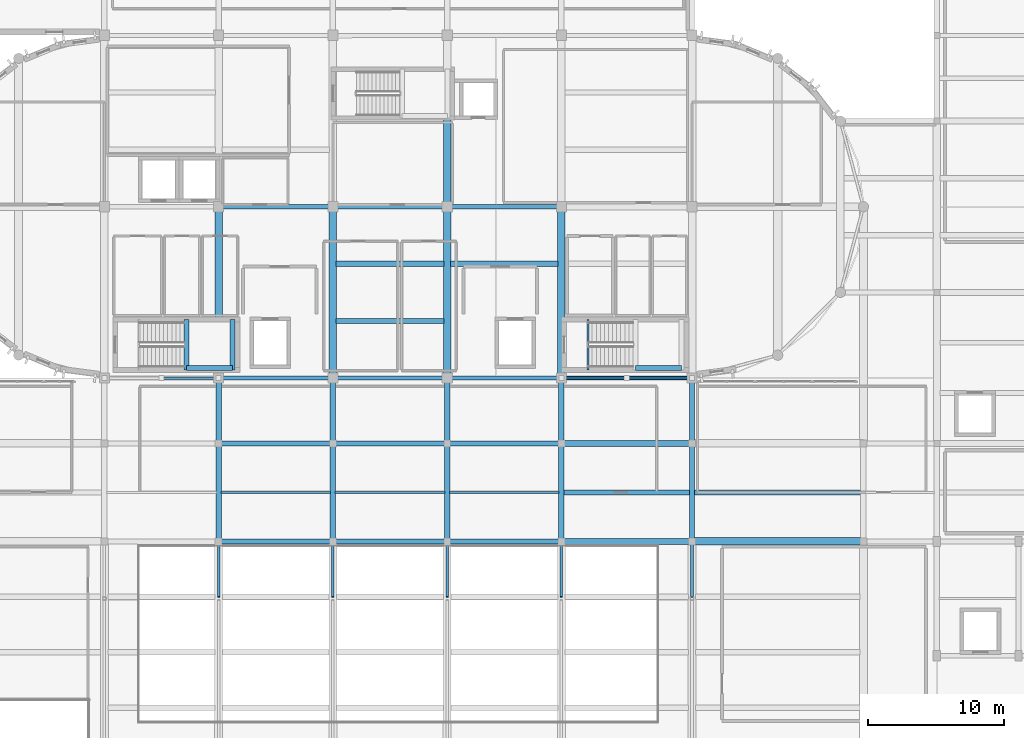
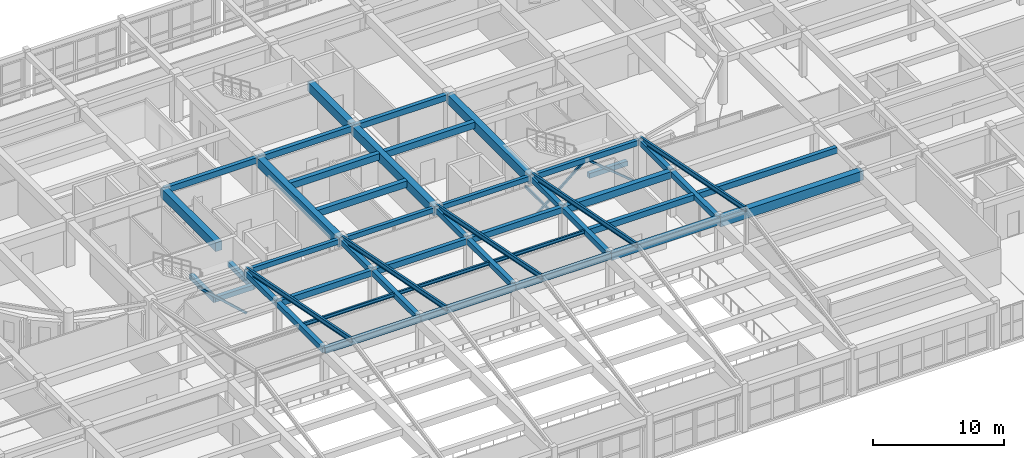
# One storey, part 42 of 91: 48 beams, 4 members.
"""IFC4 building model written with IfcOpenShell, lengths in metres."""

from ifc_helpers import new_model, si_unit, direction, frame, origin, origin_2d, place, context, subcontext, project, spatial, rectangle, hollow_rectangle, i_section, extrude, material, material_profile, profile_set, type_object, element, save


model = new_model("IFC4")

# Units and contexts
model_context = context("Model", 3, precision=1e-05, world=origin(), true_north=direction((0.0, 1.0)))
body_context = subcontext(model_context, "Body", "Model", "MODEL_VIEW")
ifc_project = project(units=[si_unit("LENGTHUNIT", "METRE"), si_unit("AREAUNIT", "SQUARE_METRE"), si_unit("VOLUMEUNIT", "CUBIC_METRE"), si_unit("PLANEANGLEUNIT", "RADIAN"), si_unit("MASSUNIT", "GRAM", prefix="KILO")], contexts=[model_context])

# Site, building, storey
site_placement = place(None, origin())
site = spatial("IfcSite", under=ifc_project, at=site_placement, CompositionType="ELEMENT")
building_placement = place(site_placement, origin())
building = spatial("IfcBuilding", under=site, at=building_placement, Name="Tarnavel Promenade Courthouse", CompositionType="ELEMENT")
storey_placement = place(building_placement, frame((0.0, 0.0, 9.89990234375)))
storey = spatial("IfcBuildingStorey", under=building, at=storey_placement, Name="L03", CompositionType="ELEMENT", Elevation=9.89990234375)

# Beams
ifc_material_1 = material(Name="Concrete C40/50", Category="concrete")
ifc_material_profile_1 = material_profile(ifc_material_1, rectangle(XDim=0.35009765625, YDim=0.550048828125, at=origin_2d()), Name="PT 350x550")
ifc_profile_set_1 = profile_set([ifc_material_profile_1], Name="Concrete C40/50")
beam_type_1 = type_object("IfcBeamType", Name="Concrete C40/50 BM-PT-350x550 (PT 350x550)", PredefinedType="JOIST", material=ifc_profile_set_1)
beam_1_placement = place(storey_placement, frame((92.570068359375, 70.800048828125, 3.97021484375), z_axis=(1.0, 0.0, 0.0), x_axis=(0.0, 1.0, 0.0)))
element("IfcBeam", 1, at=beam_1_placement, inside=storey, type_object=beam_type_1, Name="L03 Secondary Floor Rib 1857", PredefinedType="JOIST", context=body_context, shape_type="SweptSolid", body=[
    extrude(rectangle(XDim=0.35009765625, YDim=0.550048828125, at=origin_2d()), origin(), (0.0, 0.0, 1.0), 9.260009765625),
])
beam_2_placement = place(storey_placement, frame((102.169921875, 70.800048828125, 3.97021484375), z_axis=(1.0, 0.0, 0.0), x_axis=(0.0, 1.0, 0.0)))
element("IfcBeam", 2, at=beam_2_placement, inside=storey, type_object=beam_type_1, Name="L03 Secondary Floor Rib 1858", PredefinedType="JOIST", context=body_context, shape_type="SweptSolid", body=[
    extrude(rectangle(XDim=0.35009765625, YDim=0.550048828125, at=origin_2d()), origin(), (0.0, 0.0, 1.0), 12.260009765625),
])
ifc_material_profile_2 = material_profile(ifc_material_1, rectangle(XDim=0.39990234375, YDim=0.60009765625, at=origin_2d()), Name="PT 400x600")
ifc_profile_set_2 = profile_set([ifc_material_profile_2], Name="Concrete C40/50")
beam_type_2 = type_object("IfcBeamType", Name="Concrete C40/50 BM-PT-400x600 (PT 400x600)", PredefinedType="JOIST", material=ifc_profile_set_2)
for number, where, z_axis, x_axis, name in (
    (3, (75.844970703125, 83.39990234375, 3.945068359375), (1.0, 0.0, 0.0), (0.0, 1.0, 0.0), "L03 Secondary Floor Rib 1938"),
    (4, (75.844970703125, 87.60009765625, 3.945068359375), (1.0, 0.0, 0.0), (0.0, 1.0, 0.0), "L03 Secondary Floor Rib 1939"),
    (5, (84.2451171875, 87.60009765625, 3.945068359375), (1.0, 0.0, 0.0), (0.0, 1.0, 0.0), "L03 Secondary Floor Rib 1940"),
):
    element("IfcBeam", number, at=place(storey_placement, frame(where, z_axis=z_axis, x_axis=x_axis)), inside=storey, type_object=beam_type_2, Name=name, PredefinedType="JOIST", context=body_context, shape_type="SweptSolid", body=[
        extrude(rectangle(XDim=0.39990234375, YDim=0.60009765625, at=origin_2d()), origin(), (0.0, 0.0, 1.0), 7.909912109375),
    ])
ifc_material_profile_3 = material_profile(ifc_material_1, rectangle(XDim=0.550048828125, YDim=0.85009765625, at=origin_2d()), Name="PT 550x850")
ifc_profile_set_3 = profile_set([ifc_material_profile_3], Name="Concrete C40/50")
beam_type_3 = type_object("IfcBeamType", Name="Concrete C40/50 BM-PT-550x850 (PT 550x850)", PredefinedType="T_BEAM", material=ifc_profile_set_3)
beam_3_placement = place(storey_placement, frame((102.0, 67.199951171875, 3.820068359375), z_axis=(1.0, 0.0, 0.0), x_axis=(0.0, 1.0, 0.0)))
element("IfcBeam", 6, at=beam_3_placement, inside=storey, type_object=beam_type_3, Name="L03 Primary Longitudinal Beam 1599", PredefinedType="T_BEAM", context=body_context, shape_type="SweptSolid", body=[
    extrude(rectangle(XDim=0.550048828125, YDim=0.85009765625, at=origin_2d()), origin(), (0.0, 0.0, 1.0), 12.60009765625),
])
beam_4_placement = place(storey_placement, frame((67.199951171875, 83.3701171875, 3.820068359375), z_axis=(0.0, 1.0, 0.0), x_axis=(-1.0, 0.0, 0.0)))
element("IfcBeam", 7, at=beam_4_placement, inside=storey, type_object=beam_type_3, Name="L03 Transverse Girder 1747", PredefinedType="T_BEAM", context=body_context, shape_type="SweptSolid", body=[
    extrude(rectangle(XDim=0.550048828125, YDim=0.85009765625, at=origin_2d()), origin(), (0.0, 0.0, 1.0), 8.429931640625),
])
for number, where, z_axis, x_axis, name in (
    (8, (75.60009765625, 79.199951171875, 3.820068359375), (0.0, 1.0, 0.0), (-1.0, 0.0, 0.0), "L03 Transverse Girder 1753"),
    (9, (84.0, 79.199951171875, 3.820068359375), (0.0, 1.0, 0.0), (-1.0, 0.0, 0.0), "L03 Transverse Girder 1759"),
):
    element("IfcBeam", number, at=place(storey_placement, frame(where, z_axis=z_axis, x_axis=x_axis)), inside=storey, type_object=beam_type_3, Name=name, PredefinedType="T_BEAM", context=body_context, shape_type="SweptSolid", body=[
        extrude(rectangle(XDim=0.550048828125, YDim=0.85009765625, at=origin_2d()), origin(), (0.0, 0.0, 1.0), 12.60009765625),
    ])
beam_5_placement = place(storey_placement, frame((84.0, 91.800048828125, 3.820068359375), z_axis=(0.0, 1.0, 0.0), x_axis=(-1.0, 0.0, 0.0)))
element("IfcBeam", 10, at=beam_5_placement, inside=storey, type_object=beam_type_3, Name="L03 Transverse Girder 1760", PredefinedType="T_BEAM", context=body_context, shape_type="SweptSolid", body=[
    extrude(rectangle(XDim=0.550048828125, YDim=0.85009765625, at=origin_2d()), origin(), (0.0, 0.0, 1.0), 6.64990234375),
])
beam_6_placement = place(storey_placement, frame((92.39990234375, 79.199951171875, 3.820068359375), z_axis=(0.0, 1.0, 0.0), x_axis=(-1.0, 0.0, 0.0)))
element("IfcBeam", 11, at=beam_6_placement, inside=storey, type_object=beam_type_3, Name="L03 Transverse Girder 1766", PredefinedType="T_BEAM", context=body_context, shape_type="SweptSolid", body=[
    extrude(rectangle(XDim=0.550048828125, YDim=0.85009765625, at=origin_2d()), origin(), (0.0, 0.0, 1.0), 12.60009765625),
])
ifc_material_profile_4 = material_profile(ifc_material_1, rectangle(XDim=0.35009765625, YDim=0.449951171875, at=origin_2d()), Name="RC 350x450")
ifc_profile_set_4 = profile_set([ifc_material_profile_4], Name="Concrete C40/50")
beam_type_4 = type_object("IfcBeamType", Name="Concrete C40/50 BM-RC-350x450 (RC 350x450)", PredefinedType="BEAM", material=ifc_profile_set_4)
for number, where, z_axis, x_axis, name in (
    (12, (64.840087890625, 79.800048828125, 1.820068359375), (0.0, 1.0, 0.0), (-1.0, 0.0, 0.0), "L03 ST-01 Mid-Landing Support Beam Near"),
    (13, (68.219970703125, 79.800048828125, 1.820068359375), (0.0, 1.0, 0.0), (-1.0, 0.0, 0.0), "L03 ST-01 Mid-Landing Support Beam Far"),
):
    element("IfcBeam", number, at=place(storey_placement, frame(where, z_axis=z_axis, x_axis=x_axis)), inside=storey, type_object=beam_type_4, Name=name, PredefinedType="BEAM", context=body_context, shape_type="SweptSolid", body=[
        extrude(rectangle(XDim=0.35009765625, YDim=0.449951171875, at=origin_2d()), origin(), (0.0, 0.0, 1.0), 3.719970703125),
    ])
for number, where, z_axis, x_axis, name in (
    (14, (64.840087890625, 79.949951171875, 1.820068359375), (1.0, 0.0, 0.0), (0.0, 1.0, 0.0), "L03 ST-01 Mid-Landing Edge Trimmer"),
    (15, (97.840087890625, 79.949951171875, 1.820068359375), (1.0, 0.0, 0.0), (0.0, 1.0, 0.0), "L03 ST-02 Mid-Landing Edge Trimmer"),
):
    element("IfcBeam", number, at=place(storey_placement, frame(where, z_axis=z_axis, x_axis=x_axis)), inside=storey, type_object=beam_type_4, Name=name, PredefinedType="BEAM", context=body_context, shape_type="SweptSolid", body=[
        extrude(rectangle(XDim=0.35009765625, YDim=0.449951171875, at=origin_2d()), origin(), (0.0, 0.0, 1.0), 3.3798828125),
    ])
ifc_material_profile_5 = material_profile(ifc_material_1, rectangle(XDim=0.35009765625, YDim=0.550048828125, at=origin_2d()), Name="RC 350x550")
ifc_profile_set_5 = profile_set([ifc_material_profile_5], Name="Concrete C40/50")
beam_type_5 = type_object("IfcBeamType", Name="Concrete C40/50 BM-RC-350x550 (RC 350x550)", PredefinedType="BEAM", material=ifc_profile_set_5)
beam_7_placement = place(storey_placement, frame((67.199951171875, 67.199951171875, 3.97021484375), z_axis=(1.0, 0.0, 0.0), x_axis=(0.0, 1.0, 0.0)))
element("IfcBeam", 16, at=beam_7_placement, inside=storey, type_object=beam_type_5, Name="L03 Primary Longitudinal Beam 1595", PredefinedType="BEAM", context=body_context, shape_type="SweptSolid", body=[
    extrude(rectangle(XDim=0.35009765625, YDim=0.550048828125, at=origin_2d()), origin(), (0.0, 0.0, 1.0), 8.400146484375),
])
for number, where, z_axis, x_axis, name in (
    (17, (75.60009765625, 67.199951171875, 3.97021484375), (1.0, 0.0, 0.0), (0.0, 1.0, 0.0), "L03 Primary Longitudinal Beam 1596"),
    (18, (84.0, 67.199951171875, 3.97021484375), (1.0, 0.0, 0.0), (0.0, 1.0, 0.0), "L03 Primary Longitudinal Beam 1597"),
):
    element("IfcBeam", number, at=place(storey_placement, frame(where, z_axis=z_axis, x_axis=x_axis)), inside=storey, type_object=beam_type_5, Name=name, PredefinedType="BEAM", context=body_context, shape_type="SweptSolid", body=[
        extrude(rectangle(XDim=0.35009765625, YDim=0.550048828125, at=origin_2d()), origin(), (0.0, 0.0, 1.0), 8.39990234375),
    ])
beam_8_placement = place(storey_placement, frame((67.199951171875, 74.39990234375, 3.97021484375), z_axis=(1.0, 0.0, 0.0), x_axis=(0.0, 1.0, 0.0)))
element("IfcBeam", 19, at=beam_8_placement, inside=storey, type_object=beam_type_5, Name="L03 Primary Longitudinal Beam 1618", PredefinedType="BEAM", context=body_context, shape_type="SweptSolid", body=[
    extrude(rectangle(XDim=0.35009765625, YDim=0.550048828125, at=origin_2d()), origin(), (0.0, 0.0, 1.0), 8.400146484375),
])
for number, where, z_axis, x_axis, name in (
    (20, (75.60009765625, 74.39990234375, 3.97021484375), (1.0, 0.0, 0.0), (0.0, 1.0, 0.0), "L03 Primary Longitudinal Beam 1619"),
    (21, (84.0, 74.39990234375, 3.97021484375), (1.0, 0.0, 0.0), (0.0, 1.0, 0.0), "L03 Primary Longitudinal Beam 1620"),
):
    element("IfcBeam", number, at=place(storey_placement, frame(where, z_axis=z_axis, x_axis=x_axis)), inside=storey, type_object=beam_type_5, Name=name, PredefinedType="BEAM", context=body_context, shape_type="SweptSolid", body=[
        extrude(rectangle(XDim=0.35009765625, YDim=0.550048828125, at=origin_2d()), origin(), (0.0, 0.0, 1.0), 8.39990234375),
    ])
beam_9_placement = place(storey_placement, frame((67.199951171875, 91.800048828125, 3.97021484375), z_axis=(1.0, 0.0, 0.0), x_axis=(0.0, 1.0, 0.0)))
element("IfcBeam", 22, at=beam_9_placement, inside=storey, type_object=beam_type_5, Name="L03 Primary Longitudinal Beam 1646", PredefinedType="BEAM", context=body_context, shape_type="SweptSolid", body=[
    extrude(rectangle(XDim=0.35009765625, YDim=0.550048828125, at=origin_2d()), origin(), (0.0, 0.0, 1.0), 8.400146484375),
])
for number, where, z_axis, x_axis, name in (
    (23, (75.60009765625, 91.800048828125, 3.97021484375), (1.0, 0.0, 0.0), (0.0, 1.0, 0.0), "L03 Primary Longitudinal Beam 1647"),
    (24, (84.0, 91.800048828125, 3.97021484375), (1.0, 0.0, 0.0), (0.0, 1.0, 0.0), "L03 Primary Longitudinal Beam 1648"),
):
    element("IfcBeam", number, at=place(storey_placement, frame(where, z_axis=z_axis, x_axis=x_axis)), inside=storey, type_object=beam_type_5, Name=name, PredefinedType="BEAM", context=body_context, shape_type="SweptSolid", body=[
        extrude(rectangle(XDim=0.35009765625, YDim=0.550048828125, at=origin_2d()), origin(), (0.0, 0.0, 1.0), 8.39990234375),
    ])
ifc_material_profile_6 = material_profile(ifc_material_1, rectangle(XDim=0.39990234375, YDim=0.5, at=origin_2d()), Name="RC 400x500")
ifc_profile_set_6 = profile_set([ifc_material_profile_6], Name="Concrete C40/50")
beam_type_6 = type_object("IfcBeamType", Name="Concrete C40/50 BM-RC-400x500 (RC 400x500)", PredefinedType="BEAM", material=ifc_profile_set_6)
beam_10_placement = place(storey_placement, frame((67.199951171875, 67.199951171875, 3.9951171875), z_axis=(0.0, 1.0, 0.0), x_axis=(-1.0, 0.0, 0.0)))
element("IfcBeam", 25, at=beam_10_placement, inside=storey, type_object=beam_type_6, Name="L03 Transverse Girder 1745", PredefinedType="BEAM", context=body_context, shape_type="SweptSolid", body=[
    extrude(rectangle(XDim=0.39990234375, YDim=0.5, at=origin_2d()), origin(), (0.0, 0.0, 1.0), 7.199951171875),
])
beam_11_placement = place(storey_placement, frame((67.199951171875, 74.39990234375, 3.9951171875), z_axis=(0.0, 1.0, 0.0), x_axis=(-1.0, 0.0, 0.0)))
element("IfcBeam", 26, at=beam_11_placement, inside=storey, type_object=beam_type_6, Name="L03 Transverse Girder 1746", PredefinedType="BEAM", context=body_context, shape_type="SweptSolid", body=[
    extrude(rectangle(XDim=0.39990234375, YDim=0.5, at=origin_2d()), origin(), (0.0, 0.0, 1.0), 4.800048828125),
])
beam_12_placement = place(storey_placement, frame((75.60009765625, 67.199951171875, 3.9951171875), z_axis=(0.0, 1.0, 0.0), x_axis=(-1.0, 0.0, 0.0)))
element("IfcBeam", 27, at=beam_12_placement, inside=storey, type_object=beam_type_6, Name="L03 Transverse Girder 1751", PredefinedType="BEAM", context=body_context, shape_type="SweptSolid", body=[
    extrude(rectangle(XDim=0.39990234375, YDim=0.5, at=origin_2d()), origin(), (0.0, 0.0, 1.0), 7.199951171875),
])
beam_13_placement = place(storey_placement, frame((75.60009765625, 74.39990234375, 3.9951171875), z_axis=(0.0, 1.0, 0.0), x_axis=(-1.0, 0.0, 0.0)))
element("IfcBeam", 28, at=beam_13_placement, inside=storey, type_object=beam_type_6, Name="L03 Transverse Girder 1752", PredefinedType="BEAM", context=body_context, shape_type="SweptSolid", body=[
    extrude(rectangle(XDim=0.39990234375, YDim=0.5, at=origin_2d()), origin(), (0.0, 0.0, 1.0), 4.800048828125),
])
beam_14_placement = place(storey_placement, frame((84.0, 67.199951171875, 3.9951171875), z_axis=(0.0, 1.0, 0.0), x_axis=(-1.0, 0.0, 0.0)))
element("IfcBeam", 29, at=beam_14_placement, inside=storey, type_object=beam_type_6, Name="L03 Transverse Girder 1757", PredefinedType="BEAM", context=body_context, shape_type="SweptSolid", body=[
    extrude(rectangle(XDim=0.39990234375, YDim=0.5, at=origin_2d()), origin(), (0.0, 0.0, 1.0), 7.199951171875),
])
beam_15_placement = place(storey_placement, frame((84.0, 74.39990234375, 3.9951171875), z_axis=(0.0, 1.0, 0.0), x_axis=(-1.0, 0.0, 0.0)))
element("IfcBeam", 30, at=beam_15_placement, inside=storey, type_object=beam_type_6, Name="L03 Transverse Girder 1758", PredefinedType="BEAM", context=body_context, shape_type="SweptSolid", body=[
    extrude(rectangle(XDim=0.39990234375, YDim=0.5, at=origin_2d()), origin(), (0.0, 0.0, 1.0), 4.800048828125),
])
beam_16_placement = place(storey_placement, frame((92.39990234375, 67.199951171875, 3.9951171875), z_axis=(0.0, 1.0, 0.0), x_axis=(-1.0, 0.0, 0.0)))
element("IfcBeam", 31, at=beam_16_placement, inside=storey, type_object=beam_type_6, Name="L03 Transverse Girder 1764", PredefinedType="BEAM", context=body_context, shape_type="SweptSolid", body=[
    extrude(rectangle(XDim=0.39990234375, YDim=0.5, at=origin_2d()), origin(), (0.0, 0.0, 1.0), 7.199951171875),
])
beam_17_placement = place(storey_placement, frame((92.39990234375, 74.39990234375, 3.9951171875), z_axis=(0.0, 1.0, 0.0), x_axis=(-1.0, 0.0, 0.0)))
element("IfcBeam", 32, at=beam_17_placement, inside=storey, type_object=beam_type_6, Name="L03 Transverse Girder 1765", PredefinedType="BEAM", context=body_context, shape_type="SweptSolid", body=[
    extrude(rectangle(XDim=0.39990234375, YDim=0.5, at=origin_2d()), origin(), (0.0, 0.0, 1.0), 4.800048828125),
])
beam_18_placement = place(storey_placement, frame((102.0, 67.199951171875, 3.9951171875), z_axis=(0.0, 1.0, 0.0), x_axis=(-1.0, 0.0, 0.0)))
element("IfcBeam", 33, at=beam_18_placement, inside=storey, type_object=beam_type_6, Name="L03 Transverse Girder 1770", PredefinedType="BEAM", context=body_context, shape_type="SweptSolid", body=[
    extrude(rectangle(XDim=0.39990234375, YDim=0.5, at=origin_2d()), origin(), (0.0, 0.0, 1.0), 7.199951171875),
])
beam_19_placement = place(storey_placement, frame((102.0, 74.39990234375, 3.9951171875), z_axis=(0.0, 1.0, 0.0), x_axis=(-1.0, 0.0, 0.0)))
element("IfcBeam", 34, at=beam_19_placement, inside=storey, type_object=beam_type_6, Name="L03 Transverse Girder 1771", PredefinedType="BEAM", context=body_context, shape_type="SweptSolid", body=[
    extrude(rectangle(XDim=0.39990234375, YDim=0.5, at=origin_2d()), origin(), (0.0, 0.0, 1.0), 4.800048828125),
])
ifc_material_profile_7 = material_profile(ifc_material_1, rectangle(XDim=0.449951171875, YDim=0.64990234375, at=origin_2d()), Name="RC 450x650")
ifc_profile_set_7 = profile_set([ifc_material_profile_7], Name="Concrete C40/50")
beam_type_7 = type_object("IfcBeamType", Name="Concrete C40/50 BM-RC-450x650 (RC 450x650)", PredefinedType="T_BEAM", material=ifc_profile_set_7)
for number, where, z_axis, x_axis, name in (
    (35, (92.39990234375, 67.199951171875, 3.920166015625), (1.0, 0.0, 0.0), (0.0, 1.0, 0.0), "L03 Primary Longitudinal Beam 1598"),
    (36, (92.39990234375, 74.39990234375, 3.920166015625), (1.0, 0.0, 0.0), (0.0, 1.0, 0.0), "L03 Primary Longitudinal Beam 1621"),
):
    element("IfcBeam", number, at=place(storey_placement, frame(where, z_axis=z_axis, x_axis=x_axis)), inside=storey, type_object=beam_type_7, Name=name, PredefinedType="T_BEAM", context=body_context, shape_type="SweptSolid", body=[
        extrude(rectangle(XDim=0.449951171875, YDim=0.64990234375, at=origin_2d()), origin(), (0.0, 0.0, 1.0), 9.60009765625),
    ])
ifc_material_profile_8 = material_profile(ifc_material_1, rectangle(XDim=0.300048828125, YDim=0.449951171875, at=origin_2d()), Name="RC 300x450")
ifc_profile_set_8 = profile_set([ifc_material_profile_8], Name="Concrete C40/50")
beam_type_8 = type_object("IfcBeamType", Name="Concrete C40/50 BM-SP-300x450 (RC 300x450)", PredefinedType="SPANDREL", material=ifc_profile_set_8)
beam_20_placement = place(storey_placement, frame((67.199951171875, 79.199951171875, 4.02001953125), z_axis=(1.0, 0.0, 0.0), x_axis=(0.0, 1.0, 0.0)))
element("IfcBeam", 37, at=beam_20_placement, inside=storey, type_object=beam_type_8, Name="L03 Primary Longitudinal Beam 1629", PredefinedType="SPANDREL", context=body_context, shape_type="SweptSolid", body=[
    extrude(rectangle(XDim=0.300048828125, YDim=0.449951171875, at=origin_2d()), origin(), (0.0, 0.0, 1.0), 8.400146484375),
])
for number, where, z_axis, x_axis, name in (
    (38, (75.60009765625, 79.199951171875, 4.02001953125), (1.0, 0.0, 0.0), (0.0, 1.0, 0.0), "L03 Primary Longitudinal Beam 1630"),
    (39, (84.0, 79.199951171875, 4.02001953125), (1.0, 0.0, 0.0), (0.0, 1.0, 0.0), "L03 Primary Longitudinal Beam 1631"),
):
    element("IfcBeam", number, at=place(storey_placement, frame(where, z_axis=z_axis, x_axis=x_axis)), inside=storey, type_object=beam_type_8, Name=name, PredefinedType="SPANDREL", context=body_context, shape_type="SweptSolid", body=[
        extrude(rectangle(XDim=0.300048828125, YDim=0.449951171875, at=origin_2d()), origin(), (0.0, 0.0, 1.0), 8.39990234375),
    ])
ifc_material_profile_9 = material_profile(ifc_material_1, rectangle(XDim=0.300048828125, YDim=0.5, at=origin_2d()), Name="RC 300x500")
ifc_profile_set_9 = profile_set([ifc_material_profile_9], Name="Concrete C40/50")
beam_type_9 = type_object("IfcBeamType", Name="Concrete C40/50 BM-SP-300x500 (RC 300x500)", PredefinedType="SPANDREL", material=ifc_profile_set_9)
beam_21_placement = place(storey_placement, frame((92.39990234375, 79.199951171875, 3.9951171875), z_axis=(1.0, 0.0, 0.0), x_axis=(0.0, 1.0, 0.0)))
element("IfcBeam", 40, at=beam_21_placement, inside=storey, type_object=beam_type_9, Name="L03 Primary Longitudinal Beam 1632", PredefinedType="SPANDREL", context=body_context, shape_type="SweptSolid", body=[
    extrude(rectangle(XDim=0.300048828125, YDim=0.5, at=origin_2d()), origin(), (0.0, 0.0, 1.0), 9.60009765625),
])
ifc_material_2 = material(Name="Steel S355J2", Category="steel")
ifc_material_profile_10 = material_profile(ifc_material_2, i_section(OverallWidth=0.159912109375, OverallDepth=0.330078125, WebThickness=0.007568359375, FlangeThickness=0.011474609375, FilletRadius=0.01806640625, at=origin_2d()), Name="IPE 330")
ifc_profile_set_10 = profile_set([ifc_material_profile_10], Name="Steel S355J2")
beam_type_10 = type_object("IfcBeamType", Name="Steel S355J2 BM-ST-IPE330 (IPE 330)", PredefinedType="JOIST", material=ifc_profile_set_10)
beam_22_placement = place(storey_placement, frame((67.3701171875, 70.800048828125, 4.080078125), z_axis=(1.0, 0.0, 0.0), x_axis=(0.0, 1.0, 0.0)))
element("IfcBeam", 41, at=beam_22_placement, inside=storey, type_object=beam_type_10, Name="L03 Secondary Floor Rib 1854", PredefinedType="JOIST", context=body_context, shape_type="SweptSolid", body=[
    extrude(i_section(OverallWidth=0.159912109375, OverallDepth=0.330078125, WebThickness=0.007568359375, FlangeThickness=0.011474609375, FilletRadius=0.01806640625, at=origin_2d()), origin(), (0.0, 0.0, 1.0), 8.059814453125),
])
for number, where, z_axis, x_axis, name in (
    (42, (75.77001953125, 70.800048828125, 4.080078125), (1.0, 0.0, 0.0), (0.0, 1.0, 0.0), "L03 Secondary Floor Rib 1855"),
    (43, (84.169921875, 70.800048828125, 4.080078125), (1.0, 0.0, 0.0), (0.0, 1.0, 0.0), "L03 Secondary Floor Rib 1856"),
):
    element("IfcBeam", number, at=place(storey_placement, frame(where, z_axis=z_axis, x_axis=x_axis)), inside=storey, type_object=beam_type_10, Name=name, PredefinedType="JOIST", context=body_context, shape_type="SweptSolid", body=[
        extrude(i_section(OverallWidth=0.159912109375, OverallDepth=0.330078125, WebThickness=0.007568359375, FlangeThickness=0.011474609375, FilletRadius=0.01806640625, at=origin_2d()), origin(), (0.0, 0.0, 1.0), 8.06005859375),
    ])
ifc_material_profile_11 = material_profile(ifc_material_2, i_section(OverallWidth=0.18994140625, OverallDepth=0.449951171875, WebThickness=0.009521484375, FlangeThickness=0.0146484375, FilletRadius=0.02099609375, at=origin_2d()), Name="IPE 450")
ifc_profile_set_11 = profile_set([ifc_material_profile_11], Name="Steel S355J2")
beam_type_11 = type_object("IfcBeamType", Name="Steel S355J2 BM-ST-IPE450 (IPE 450)", PredefinedType="BEAM", material=ifc_profile_set_11)
for number, where, z_axis, x_axis, name in (
    (44, (67.199951171875, 63.10498046875, 7.400146484375), (0.0, 0.981264451334, -0.192665711916), (-1.0, 0.0, 0.0), "Winter-Garden Roof Rafter North 67"),
    (45, (75.60009765625, 63.10498046875, 7.400146484375), (0.0, 0.981264451334, -0.192665711916), (-1.0, 0.0, 0.0), "Winter-Garden Roof Rafter North 75"),
    (46, (84.0, 63.10498046875, 7.400146484375), (0.0, 0.981264451334, -0.192665711916), (-1.0, 0.0, 0.0), "Winter-Garden Roof Rafter North 84"),
    (47, (92.39990234375, 63.10498046875, 7.400146484375), (0.0, 0.981264451334, -0.192665711916), (-1.0, 0.0, 0.0), "Winter-Garden Roof Rafter North 92"),
    (48, (102.0, 63.10498046875, 7.400146484375), (0.0, 0.981264451334, -0.192665711916), (-1.0, 0.0, 0.0), "Winter-Garden Roof Rafter North 102"),
):
    element("IfcBeam", number, at=place(storey_placement, frame(where, z_axis=z_axis, x_axis=x_axis)), inside=storey, type_object=beam_type_11, Name=name, PredefinedType="BEAM", context=body_context, shape_type="SweptSolid", body=[
        extrude(i_section(OverallWidth=0.18994140625, OverallDepth=0.449951171875, WebThickness=0.009521484375, FlangeThickness=0.0146484375, FilletRadius=0.02099609375, at=origin_2d()), origin(), (0.0, 0.0, 1.0), 16.40234375),
    ])

# Members
ifc_material_profile_12 = material_profile(ifc_material_2, hollow_rectangle(XDim=0.179931640625, YDim=0.179931640625, WallThickness=0.010009765625, InnerFilletRadius=0.010009765625, OuterFilletRadius=0.02001953125, at=origin_2d()), Name="SHS 180x180x10")
ifc_profile_set_12 = profile_set([ifc_material_profile_12], Name="Steel S355J2")
member_type_1 = type_object("IfcMemberType", Name="Steel S355J2 MEM-BR-SHS180 (SHS 180x180x10)", PredefinedType="BRACE", material=ifc_profile_set_12)
for number, where, z_axis, x_axis, name in (
    (49, (92.39990234375, 79.199951171875, 0.0), (0.76860886506, 0.0, 0.639719010622), (0.0, 1.0, 0.0), "L03 V5 Chevron Brace A 014"),
    (50, (102.0, 79.199951171875, 0.0), (-0.76860886506, 0.0, 0.639719010622), (0.0, -1.0, 0.0), "L03 V5 Chevron Brace B 014"),
):
    element("IfcMember", number, at=place(storey_placement, frame(where, z_axis=z_axis, x_axis=x_axis)), inside=storey, type_object=member_type_1, Name=name, PredefinedType="BRACE", context=body_context, shape_type="SweptSolid", body=[
        extrude(hollow_rectangle(XDim=0.179931640625, YDim=0.179931640625, WallThickness=0.010009765625, InnerFilletRadius=0.010009765625, OuterFilletRadius=0.02001953125, at=origin_2d()), origin(), (0.0, 0.0, 1.0), 6.2451171875),
    ])
ifc_material_profile_13 = material_profile(ifc_material_2, hollow_rectangle(XDim=0.199951171875, YDim=0.199951171875, WallThickness=0.012451171875, InnerFilletRadius=0.012451171875, OuterFilletRadius=0.02490234375, at=origin_2d()), Name="SHS 200x200x12.5")
ifc_profile_set_13 = profile_set([ifc_material_profile_13], Name="Steel S355J2")
member_type_2 = type_object("IfcMemberType", Name="Steel S355J2 MEM-BR-SHS200 (SHS 200x200x12.5)", PredefinedType="BRACE", material=ifc_profile_set_13)
member_1_placement = place(storey_placement, frame((67.199951171875, 79.199951171875, 0.14501953125), z_axis=(-0.737141689437, 0.0, 0.675738210918), x_axis=(0.0, -1.0, 0.0)))
element("IfcMember", 51, at=member_1_placement, inside=storey, type_object=member_type_2, Name="L03 V5 Chevron Brace B 004", PredefinedType="BRACE", context=body_context, shape_type="SweptSolid", body=[
    extrude(hollow_rectangle(XDim=0.199951171875, YDim=0.199951171875, WallThickness=0.012451171875, InnerFilletRadius=0.012451171875, OuterFilletRadius=0.02490234375, at=origin_2d()), origin(), (0.0, 0.0, 1.0), 5.697509765625),
])
ifc_material_profile_14 = material_profile(ifc_material_2, hollow_rectangle(XDim=0.14990234375, YDim=0.25, WallThickness=0.010009765625, InnerFilletRadius=0.010009765625, OuterFilletRadius=0.02001953125, at=origin_2d()), Name="RHS 250x150x10")
ifc_profile_set_14 = profile_set([ifc_material_profile_14], Name="Steel S355J2")
member_type_3 = type_object("IfcMemberType", Name="Steel S355J2 Stair Stringer MEM-STR-250 (RHS 250x150x10)", PredefinedType="STRINGER", material=ifc_profile_set_14)
member_2_placement = place(storey_placement, frame((94.360107421875, 79.800048828125, -0.179931640625), z_axis=(0.0, 1.0, 0.0), x_axis=(-1.0, 0.0, 0.0)))
element("IfcMember", 52, at=member_2_placement, inside=storey, type_object=member_type_3, Name="L03 ST-02 Stair Header Stringer", PredefinedType="STRINGER", context=body_context, shape_type="SweptSolid", body=[
    extrude(hollow_rectangle(XDim=0.14990234375, YDim=0.25, WallThickness=0.010009765625, InnerFilletRadius=0.010009765625, OuterFilletRadius=0.02001953125, at=origin_2d()), origin(), (0.0, 0.0, 1.0), 3.719970703125),
])

save(model, "model.ifc")
